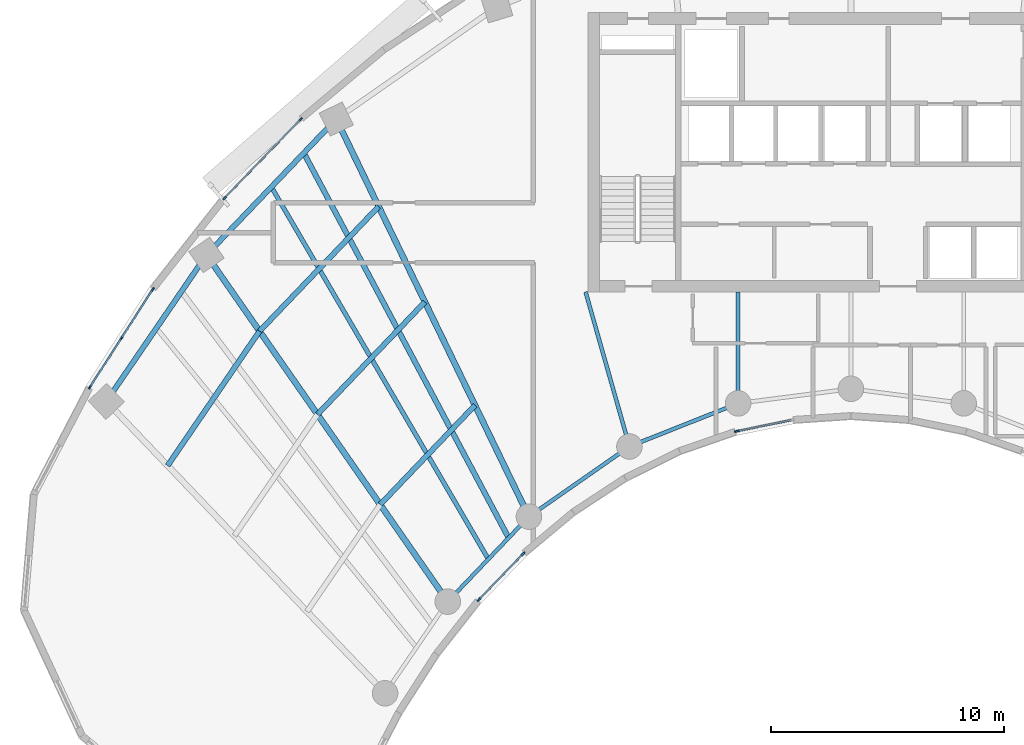
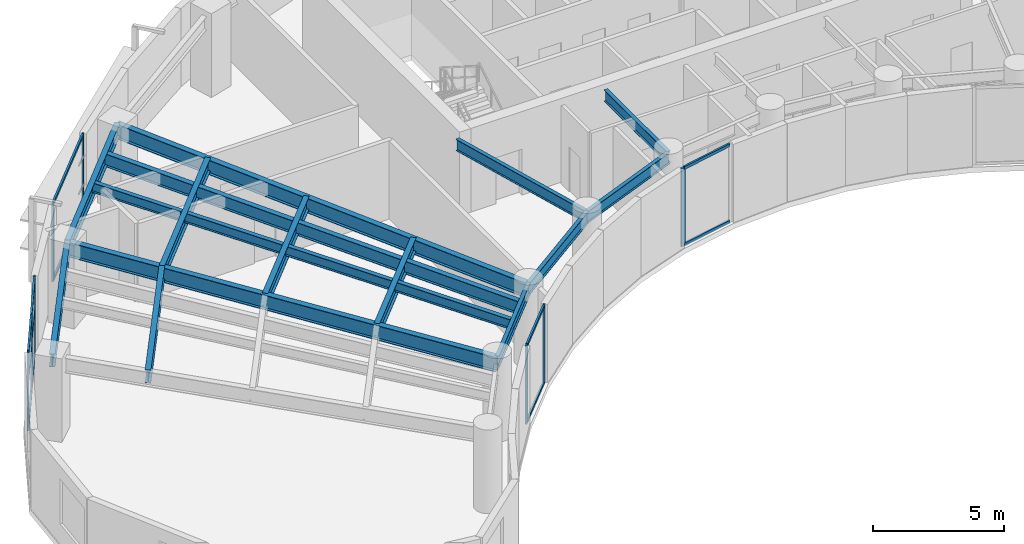
# One storey, part 2 of 13: 20 members, 15 beams, 4 elements without a shape of their own.
"""IFC4 building model written with IfcOpenShell, lengths in metres."""

from ifc_helpers import new_model, si_unit, direction, frame, origin, origin_2d, place, context, subcontext, project, spatial, rectangle, i_section, extrude, source, transform, mapped, material, layer, layer_set, material_profile, profile_set, type_object, type_shapes, element, aggregate, save


model = new_model("IFC4")

# Units and contexts
model_context = context("Model", 3, precision=1e-05, world=origin(), true_north=direction((0.0, 1.0)))
body_context = subcontext(model_context, "Body", "Model", "MODEL_VIEW")
ifc_project = project(units=[si_unit("LENGTHUNIT", "METRE"), si_unit("AREAUNIT", "SQUARE_METRE"), si_unit("VOLUMEUNIT", "CUBIC_METRE"), si_unit("PLANEANGLEUNIT", "RADIAN"), si_unit("MASSUNIT", "GRAM", prefix="KILO")], contexts=[model_context])

# Site, building, storey
site_placement = place(None, origin())
site = spatial("IfcSite", under=ifc_project, at=site_placement, CompositionType="ELEMENT")
building_placement = place(site_placement, origin())
building = spatial("IfcBuilding", under=site, at=building_placement, Name="Breltana Convention Tower", CompositionType="ELEMENT")
storey_placement = place(building_placement, frame((0.0, 0.0, 154.5)))
storey = spatial("IfcBuildingStorey", under=building, at=storey_placement, Name="L37", CompositionType="ELEMENT", Elevation=154.5)

# Beams
ifc_material_1 = material(Name="Steel ASTM A992 Grade 50", Category="steel")
ifc_material_profile_1 = material_profile(ifc_material_1, i_section(OverallWidth=0.25390625, OverallDepth=0.68798828125, WebThickness=0.01318359375, FlangeThickness=0.02099609375, at=origin_2d()), Name="W27X102")
ifc_profile_set_1 = profile_set([ifc_material_profile_1], Name="Steel ASTM A992 Grade 50")
beam_type_1 = type_object("IfcBeamType", Name="BM-RG-W27X102", PredefinedType="USERDEFINED", material=ifc_profile_set_1)
shared_shape_1 = source(origin(), body_context, "Body", "SweptSolid", [
    extrude(i_section(OverallWidth=0.25390625, OverallDepth=0.68798828125, WebThickness=0.01318359375, FlangeThickness=0.02099609375, at=origin_2d()), origin(), (0.0, 0.0, 1.0), 18.1484375),
])
beam_1_placement = place(storey_placement, frame((30.67724609375, 46.892333984375, 3.305908203125), z_axis=(-0.571207556098, 0.820805657788, 0.0), x_axis=(-0.820805657788, -0.571207556098, 0.0)))
element("IfcBeam", 1, at=beam_1_placement, inside=storey, type_object=beam_type_1, Name="L37 Radial Floor Girder R02", ObjectType="GIRDER", PredefinedType="USERDEFINED", context=body_context, shape_type="MappedRepresentation", body=[
    mapped(shared_shape_1, transform((0.0, 0.0, 0.0), scale=1.0)),
])
shared_shape_2 = source(origin(), body_context, "Body", "SweptSolid", [
    extrude(i_section(OverallWidth=0.25390625, OverallDepth=0.68798828125, WebThickness=0.01318359375, FlangeThickness=0.02099609375, at=origin_2d()), origin(), (0.0, 0.0, 1.0), 18.982421875),
])
beam_2_placement = place(storey_placement, frame((34.166259765625, 50.544921875, 3.305908203125), z_axis=(-0.436118560343, 0.89988921614, 0.0), x_axis=(-0.89988921614, -0.436118560343, 0.0)))
element("IfcBeam", 2, at=beam_2_placement, inside=storey, type_object=beam_type_1, Name="L37 Radial Floor Girder R03", ObjectType="GIRDER", PredefinedType="USERDEFINED", context=body_context, shape_type="MappedRepresentation", body=[
    mapped(shared_shape_2, transform((0.0, 0.0, 0.0), scale=1.0)),
])
ifc_material_profile_2 = material_profile(ifc_material_1, i_section(OverallWidth=0.166015625, OverallDepth=0.534912109375, WebThickness=0.01025390625, FlangeThickness=0.0166015625, at=origin_2d()), Name="W21X57")
ifc_profile_set_2 = profile_set([ifc_material_profile_2], Name="Steel ASTM A992 Grade 50")
beam_type_2 = type_object("IfcBeamType", Name="BM-BM-W21X57", PredefinedType="BEAM", material=ifc_profile_set_2)
shared_shape_3 = source(origin(), body_context, "Body", "SweptSolid", [
    extrude(i_section(OverallWidth=0.166015625, OverallDepth=0.534912109375, WebThickness=0.01025390625, FlangeThickness=0.0166015625, at=origin_2d()), origin(), (0.0, 0.0, 1.0), 6.904541015625),
])
type_shapes(beam_type_2, [shared_shape_3])
beam_3_placement = place(storey_placement, frame((36.60009765625, 60.199951171875, 3.382568359375), z_axis=(0.273006781054, -0.962012108811, 0.0), x_axis=(0.962012108811, 0.273006781054, 0.0)))
element("IfcBeam", 3, at=beam_3_placement, inside=storey, type_object=beam_type_2, Name="L37 South Core Tie Girder R04", PredefinedType="BEAM", context=body_context, shape_type="MappedRepresentation", body=[
    mapped(shared_shape_3, transform((0.0, 0.0, 0.0), scale=1.0)),
])
shared_shape_4 = source(origin(), body_context, "Body", "SweptSolid", [
    extrude(i_section(OverallWidth=0.166015625, OverallDepth=0.534912109375, WebThickness=0.01025390625, FlangeThickness=0.0166015625, at=origin_2d()), origin(), (0.0, 0.0, 1.0), 4.789306640625),
])
beam_4_placement = place(storey_placement, frame((43.153564453125, 60.199951171875, 3.382568359375), z_axis=(0.0, -1.0, 0.0), x_axis=(1.0, 0.0, 0.0)))
element("IfcBeam", 4, at=beam_4_placement, inside=storey, type_object=beam_type_2, Name="L37 South Core Tie Girder R05", PredefinedType="BEAM", context=body_context, shape_type="MappedRepresentation", body=[
    mapped(shared_shape_4, transform((0.0, 0.0, 0.0), scale=1.0)),
])
ifc_material_profile_3 = material_profile(ifc_material_1, i_section(OverallWidth=0.22802734375, OverallDepth=0.60791015625, WebThickness=0.01123046875, FlangeThickness=0.017333984375, at=origin_2d()), Name="W24X76")
ifc_profile_set_3 = profile_set([ifc_material_profile_3], Name="Steel ASTM A992 Grade 50")
beam_type_3 = type_object("IfcBeamType", Name="BM-SP-W24X76", PredefinedType="SPANDREL", material=ifc_profile_set_3)
shared_shape_5 = source(origin(), body_context, "Body", "SweptSolid", [
    extrude(i_section(OverallWidth=0.22802734375, OverallDepth=0.60791015625, WebThickness=0.01123046875, FlangeThickness=0.017333984375, at=origin_2d()), origin(), (0.0, 0.0, 1.0), 7.625),
])
type_shapes(beam_type_3, [shared_shape_5])
beam_5_placement = place(storey_placement, frame((16.0068359375, 55.494384765625, 3.345947265625), z_axis=(0.564452031902, 0.825465870694, 0.0), x_axis=(-0.825465870694, 0.564452031902, 0.0)))
element("IfcBeam", 5, at=beam_5_placement, inside=storey, type_object=beam_type_3, Name="L37 Outer Spandrel Beam 01", PredefinedType="SPANDREL", context=body_context, shape_type="MappedRepresentation", body=[
    mapped(shared_shape_5, transform((0.0, 0.0, 0.0), scale=1.0)),
])
shared_shape_6 = source(origin(), body_context, "Body", "SweptSolid", [
    extrude(i_section(OverallWidth=0.166015625, OverallDepth=0.534912109375, WebThickness=0.01025390625, FlangeThickness=0.0166015625, at=origin_2d()), origin(), (0.0, 0.0, 1.0), 5.05126953125),
])
beam_6_placement = place(storey_placement, frame((30.67724609375, 46.892333984375, 3.382568359375), z_axis=(0.690729753845, 0.7231129975, 0.0), x_axis=(-0.7231129975, 0.690729753845, 0.0)))
element("IfcBeam", 6, at=beam_6_placement, inside=storey, type_object=beam_type_2, Name="L37 Inner Ring Beam 02", PredefinedType="BEAM", context=body_context, shape_type="MappedRepresentation", body=[
    mapped(shared_shape_6, transform((0.0, 0.0, 0.0), scale=1.0)),
])
shared_shape_7 = source(origin(), body_context, "Body", "SweptSolid", [
    extrude(i_section(OverallWidth=0.22802734375, OverallDepth=0.60791015625, WebThickness=0.01123046875, FlangeThickness=0.017333984375, at=origin_2d()), origin(), (0.0, 0.0, 1.0), 8.073974609375),
])
beam_7_placement = place(storey_placement, frame((20.310791015625, 61.78857421875, 3.345947265625), z_axis=(0.69072885448, 0.723113856588, 0.0), x_axis=(-0.723113856588, 0.69072885448, 0.0)))
element("IfcBeam", 7, at=beam_7_placement, inside=storey, type_object=beam_type_3, Name="L37 Outer Spandrel Beam 02", PredefinedType="SPANDREL", context=body_context, shape_type="MappedRepresentation", body=[
    mapped(shared_shape_7, transform((0.0, 0.0, 0.0), scale=1.0)),
])
shared_shape_8 = source(origin(), body_context, "Body", "SweptSolid", [
    extrude(i_section(OverallWidth=0.166015625, OverallDepth=0.534912109375, WebThickness=0.01025390625, FlangeThickness=0.0166015625, at=origin_2d()), origin(), (0.0, 0.0, 1.0), 5.265869140625),
])
beam_8_placement = place(storey_placement, frame((34.166259765625, 50.544921875, 3.382568359375), z_axis=(0.820167429517, 0.572123577176, 0.0), x_axis=(-0.572123577176, 0.820167429517, 0.0)))
element("IfcBeam", 8, at=beam_8_placement, inside=storey, type_object=beam_type_2, Name="L37 Inner Ring Beam 03", PredefinedType="BEAM", context=body_context, shape_type="MappedRepresentation", body=[
    mapped(shared_shape_8, transform((0.0, 0.0, 0.0), scale=1.0)),
])
shared_shape_9 = source(origin(), body_context, "Body", "SweptSolid", [
    extrude(i_section(OverallWidth=0.166015625, OverallDepth=0.534912109375, WebThickness=0.01025390625, FlangeThickness=0.0166015625, at=origin_2d()), origin(), (0.0, 0.0, 1.0), 5.022705078125),
])
beam_9_placement = place(storey_placement, frame((38.485107421875, 53.5576171875, 3.382568359375), z_axis=(0.929458966248, 0.368925507469, 0.0), x_axis=(-0.368925507469, 0.929458966248, 0.0)))
element("IfcBeam", 9, at=beam_9_placement, inside=storey, type_object=beam_type_2, Name="L37 Inner Ring Beam 04", PredefinedType="BEAM", context=body_context, shape_type="MappedRepresentation", body=[
    mapped(shared_shape_9, transform((0.0, 0.0, 0.0), scale=1.0)),
])
ifc_material_profile_4 = material_profile(ifc_material_1, i_section(OverallWidth=0.22802734375, OverallDepth=0.60791015625, WebThickness=0.01123046875, FlangeThickness=0.017333984375, at=origin_2d()), Name="W24X76")
ifc_profile_set_4 = profile_set([ifc_material_profile_4], Name="Steel ASTM A992 Grade 50")
beam_type_4 = type_object("IfcBeamType", Name="BM-JSG-02", PredefinedType="JOIST", material=ifc_profile_set_4)
shared_shape_10 = source(origin(), body_context, "Body", "SweptSolid", [
    extrude(i_section(OverallWidth=0.22802734375, OverallDepth=0.60791015625, WebThickness=0.01123046875, FlangeThickness=0.017333984375, at=origin_2d()), origin(), (0.0, 0.0, 1.0), 6.997314453125),
])
beam_10_placement = place(storey_placement, frame((18.641845703125, 52.735595703125, 3.345947265625), z_axis=(0.564468756361, 0.825454434292, 0.0), x_axis=(-0.825454434292, 0.564468756361, 0.0)))
element("IfcBeam", 10, at=beam_10_placement, inside=storey, type_object=beam_type_4, Name="L37 Composite Floor Joist 01.3", PredefinedType="JOIST", context=body_context, shape_type="MappedRepresentation", body=[
    mapped(shared_shape_10, transform((0.0, 0.0, 0.0), scale=1.0)),
])
shared_shape_11 = source(origin(), body_context, "Body", "SweptSolid", [
    extrude(i_section(OverallWidth=0.22802734375, OverallDepth=0.60791015625, WebThickness=0.01123046875, FlangeThickness=0.017333984375, at=origin_2d()), origin(), (0.0, 0.0, 1.0), 5.8974609375),
])
beam_11_placement = place(storey_placement, frame((27.774658203125, 51.063232421875, 3.345947265625), z_axis=(0.690713978666, 0.723128065888, 0.0), x_axis=(-0.723128065888, 0.690713978666, 0.0)))
element("IfcBeam", 11, at=beam_11_placement, inside=storey, type_object=beam_type_4, Name="L37 Composite Floor Joist 02.1", PredefinedType="JOIST", context=body_context, shape_type="MappedRepresentation", body=[
    mapped(shared_shape_11, transform((0.0, 0.0, 0.0), scale=1.0)),
])
shared_shape_12 = source(origin(), body_context, "Body", "SweptSolid", [
    extrude(i_section(OverallWidth=0.22802734375, OverallDepth=0.60791015625, WebThickness=0.01123046875, FlangeThickness=0.017333984375, at=origin_2d()), origin(), (0.0, 0.0, 1.0), 6.68359375),
])
beam_12_placement = place(storey_placement, frame((25.079345703125, 54.936279296875, 3.345947265625), z_axis=(0.690720705885, 0.723121640156, 0.0), x_axis=(-0.723121640156, 0.690720705885, 0.0)))
element("IfcBeam", 12, at=beam_12_placement, inside=storey, type_object=beam_type_4, Name="L37 Composite Floor Joist 02.2", PredefinedType="JOIST", context=body_context, shape_type="MappedRepresentation", body=[
    mapped(shared_shape_12, transform((0.0, 0.0, 0.0), scale=1.0)),
])
shared_shape_13 = source(origin(), body_context, "Body", "SweptSolid", [
    extrude(i_section(OverallWidth=0.22802734375, OverallDepth=0.60791015625, WebThickness=0.01123046875, FlangeThickness=0.017333984375, at=origin_2d()), origin(), (0.0, 0.0, 1.0), 7.40869140625),
])
beam_13_placement = place(storey_placement, frame((22.591552734375, 58.511474609375, 3.345947265625), z_axis=(0.690724936208, 0.723117599358, 0.0), x_axis=(-0.723117599358, 0.690724936208, 0.0)))
element("IfcBeam", 13, at=beam_13_placement, inside=storey, type_object=beam_type_4, Name="L37 Composite Floor Joist 02.3", PredefinedType="JOIST", context=body_context, shape_type="MappedRepresentation", body=[
    mapped(shared_shape_13, transform((0.0, 0.0, 0.0), scale=1.0)),
])
ifc_material_profile_5 = material_profile(ifc_material_1, i_section(OverallWidth=0.19091796875, OverallDepth=0.4599609375, WebThickness=0.010009765625, FlangeThickness=0.01611328125, at=origin_2d()), Name="W18X55")
ifc_profile_set_5 = profile_set([ifc_material_profile_5], Name="Steel ASTM A992 Grade 50")
beam_type_5 = type_object("IfcBeamType", Name="BM-JSG-07", PredefinedType="JOIST", material=ifc_profile_set_5)
shared_shape_14 = source(origin(), body_context, "Body", "SweptSolid", [
    extrude(i_section(OverallWidth=0.19091796875, OverallDepth=0.4599609375, WebThickness=0.010009765625, FlangeThickness=0.01611328125, at=origin_2d()), origin(), (0.0, 0.0, 1.0), 18.50830078125),
])
beam_14_placement = place(storey_placement, frame((32.421630859375, 48.71875, 3.419921875), z_axis=(-0.50368319637, 0.863888440537, 0.0), x_axis=(-0.863888440537, -0.50368319637, 0.0)))
element("IfcBeam", 14, at=beam_14_placement, inside=storey, type_object=beam_type_5, Name="L37 Mid-Bay Radial Trimmer 02", PredefinedType="JOIST", context=body_context, shape_type="MappedRepresentation", body=[
    mapped(shared_shape_14, transform((0.0, 0.0, 0.0), scale=1.0)),
])
shared_shape_15 = source(origin(), body_context, "Body", "SweptSolid", [
    extrude(i_section(OverallWidth=0.22802734375, OverallDepth=0.60791015625, WebThickness=0.01123046875, FlangeThickness=0.017333984375, at=origin_2d()), origin(), (0.0, 0.0, 1.0), 18.731689453125),
])
beam_15_placement = place(storey_placement, frame((33.2939453125, 49.6318359375, 3.345947265625), z_axis=(-0.469820250451, 0.882762104004, 0.0), x_axis=(-0.882762104004, -0.469820250451, 0.0)))
element("IfcBeam", 15, at=beam_15_placement, inside=storey, type_object=beam_type_4, Name="L37 Quarter-Bay Radial Trimmer 02", PredefinedType="JOIST", context=body_context, shape_type="MappedRepresentation", body=[
    mapped(shared_shape_15, transform((0.0, 0.0, 0.0), scale=1.0)),
])

# Curtain wall, member
ifc_material_2 = material(Name="Aluminium Anodised Bronze Frame", Category="aluminium")
ifc_layer_1 = layer(ifc_material_2, 0.18994140625, Name="Aluminium Anodised Bronze Frame")
ifc_layer_set_1 = layer_set([ifc_layer_1], Name="Aluminium Anodised Bronze Frame")
curtain_wall_type_1 = type_object("IfcCurtainWallType", Name="CW-SYS-1", PredefinedType="NOTDEFINED", material=ifc_layer_set_1)
curtain_wall_1_placement = place(storey_placement, origin())
curtain_wall_1 = element("IfcCurtainWall", 16, at=curtain_wall_1_placement, inside=storey, type_object=curtain_wall_type_1, Name="L37 inner south-court glazing 4", PredefinedType="NOTDEFINED")
ifc_material_3 = material(Name="Aluminium Anodised Bronze", Category="aluminium")
ifc_material_profile_6 = material_profile(ifc_material_3, rectangle(XDim=0.080078125, YDim=0.199951171875, at=origin_2d()), Name="CWM-80X200")
ifc_profile_set_6 = profile_set([ifc_material_profile_6], Name="Aluminium Anodised Bronze")
member_type_1 = type_object("IfcMemberType", Name="CWM-200", PredefinedType="MULLION", material=ifc_profile_set_6)
shared_shape_16 = source(origin(), body_context, "Body", "SweptSolid", [
    extrude(rectangle(XDim=0.080078125, YDim=0.199951171875, at=origin_2d()), origin(), (0.0, 0.0, 1.0), 3.64990234375),
])
member_1_placement = place(storey_placement, frame((43.0966796875, 54.212646484375, 0.0), z_axis=(0.0, 0.0, 1.0), x_axis=(0.200861178299, -0.979619715529, 0.0)))
member_1 = element("IfcMember", 17, at=member_1_placement, type_object=member_type_1, Name="CW-01 mullion 2", PredefinedType="MULLION", context=body_context, shape_type="MappedRepresentation", body=[
    mapped(shared_shape_16, transform((0.0, 0.0, 0.0), scale=1.0)),
])

# Curtain wall, members
curtain_wall_2_placement = place(storey_placement, origin())
curtain_wall_2 = element("IfcCurtainWall", 18, at=curtain_wall_2_placement, inside=storey, type_object=curtain_wall_type_1, Name="L37 inner south-court glazing 5", PredefinedType="NOTDEFINED")
member_2_placement = place(storey_placement, frame((33.917236328125, 48.944580078125, 0.0), z_axis=(0.0, 0.0, 1.0), x_axis=(0.719389819694, -0.694606570168, 0.0)))
member_2 = element("IfcMember", 19, at=member_2_placement, type_object=member_type_1, Name="CW-01 mullion 1", PredefinedType="MULLION", context=body_context, shape_type="MappedRepresentation", body=[
    mapped(shared_shape_16, transform((0.0, 0.0, 0.0), scale=1.0)),
])
member_3_placement = place(storey_placement, frame((32.019287109375, 46.978759765625, 0.0), z_axis=(0.0, 0.0, 1.0), x_axis=(0.719389819694, -0.694606570168, 0.0)))
member_3 = element("IfcMember", 20, at=member_3_placement, type_object=member_type_1, Name="CW-01 mullion 2", PredefinedType="MULLION", context=body_context, shape_type="MappedRepresentation", body=[
    mapped(shared_shape_16, transform((0.0, 0.0, 0.0), scale=1.0)),
])

ifc_layer_2 = layer(ifc_material_2, 0.2099609375, Name="Aluminium Anodised Bronze Frame")
ifc_layer_set_2 = layer_set([ifc_layer_2], Name="Aluminium Anodised Bronze Frame")
curtain_wall_type_2 = type_object("IfcCurtainWallType", Name="CW-SYS-3", PredefinedType="NOTDEFINED", material=ifc_layer_set_2)
curtain_wall_3_placement = place(storey_placement, origin())
curtain_wall_3 = element("IfcCurtainWall", 21, at=curtain_wall_3_placement, inside=storey, type_object=curtain_wall_type_2, Name="L37 outer double-skin inner glazing 1", PredefinedType="NOTDEFINED")
ifc_material_profile_7 = material_profile(ifc_material_3, rectangle(XDim=0.070068359375, YDim=0.175048828125, at=origin_2d()), Name="CWM-70X175")
ifc_profile_set_7 = profile_set([ifc_material_profile_7], Name="Aluminium Anodised Bronze")
member_type_2 = type_object("IfcMemberType", Name="CWM-175", PredefinedType="MULLION", material=ifc_profile_set_7)
shared_shape_17 = source(origin(), body_context, "Body", "SweptSolid", [
    extrude(rectangle(XDim=0.070068359375, YDim=0.175048828125, at=origin_2d()), origin(), (0.0, 0.0, 1.0), 3.64990234375),
])
member_4_placement = place(storey_placement, frame((15.304443359375, 56.10498046875, 0.0), z_axis=(0.0, 0.0, 1.0), x_axis=(-0.841554203529, 0.54017267843, 0.0)))
member_4 = element("IfcMember", 22, at=member_4_placement, type_object=member_type_2, Name="CW-03 mullion 1", PredefinedType="MULLION", context=body_context, shape_type="MappedRepresentation", body=[
    mapped(shared_shape_17, transform((0.0, 0.0, 0.0), scale=1.0)),
])
member_5_placement = place(storey_placement, frame((16.6533203125, 58.20654296875, 0.0), z_axis=(0.0, 0.0, 1.0), x_axis=(-0.841554203529, 0.54017267843, 0.0)))
member_5 = element("IfcMember", 23, at=member_5_placement, type_object=member_type_2, Name="CW-03 mullion 2", PredefinedType="MULLION", context=body_context, shape_type="MappedRepresentation", body=[
    mapped(shared_shape_17, transform((0.0, 0.0, 0.0), scale=1.0)),
])
member_6_placement = place(storey_placement, frame((18.00244140625, 60.308349609375, 0.0), z_axis=(0.0, 0.0, 1.0), x_axis=(-0.841554203529, 0.54017267843, 0.0)))
member_6 = element("IfcMember", 24, at=member_6_placement, type_object=member_type_2, Name="CW-03 mullion 3", PredefinedType="MULLION", context=body_context, shape_type="MappedRepresentation", body=[
    mapped(shared_shape_17, transform((0.0, 0.0, 0.0), scale=1.0)),
])

curtain_wall_4_placement = place(storey_placement, origin())
curtain_wall_4 = element("IfcCurtainWall", 25, at=curtain_wall_4_placement, inside=storey, type_object=curtain_wall_type_2, Name="L37 outer double-skin inner glazing 2", PredefinedType="NOTDEFINED")
member_7_placement = place(storey_placement, frame((21.087890625, 64.2314453125, 0.0), z_axis=(0.0, 0.0, 1.0), x_axis=(-0.719393523398, 0.694602734297, 0.0)))
member_7 = element("IfcMember", 26, at=member_7_placement, type_object=member_type_2, Name="CW-03 mullion 1", PredefinedType="MULLION", context=body_context, shape_type="MappedRepresentation", body=[
    mapped(shared_shape_17, transform((0.0, 0.0, 0.0), scale=1.0)),
])
member_8_placement = place(storey_placement, frame((24.356689453125, 67.616943359375, 0.0), z_axis=(0.0, 0.0, 1.0), x_axis=(-0.719393523398, 0.694602734297, 0.0)))
member_8 = element("IfcMember", 27, at=member_8_placement, type_object=member_type_2, Name="CW-03 mullion 2", PredefinedType="MULLION", context=body_context, shape_type="MappedRepresentation", body=[
    mapped(shared_shape_17, transform((0.0, 0.0, 0.0), scale=1.0)),
])

# Member
ifc_material_profile_8 = material_profile(ifc_material_3, rectangle(XDim=0.080078125, YDim=0.139892578125, at=origin_2d()), Name="CWT-80X140")
ifc_profile_set_8 = profile_set([ifc_material_profile_8], Name="Aluminium Anodised Bronze")
member_type_3 = type_object("IfcMemberType", Name="CWT-140", PredefinedType="USERDEFINED", material=ifc_profile_set_8)
shared_shape_18 = source(origin(), body_context, "Body", "SweptSolid", [
    extrude(rectangle(XDim=0.080078125, YDim=0.139892578125, at=origin_2d()), origin(), (0.0, 0.0, 1.0), 2.427490234375),
])
member_9_placement = place(storey_placement, frame((15.3232421875, 56.134521484375, 0.0400390625), z_axis=(0.540203388332, 0.841534490817, 0.0), x_axis=(-0.841534490817, 0.540203388332, 0.0)))
member_9 = element("IfcMember", 28, at=member_9_placement, type_object=member_type_3, Name="CW-03 transom 1.1", ObjectType="TRANSOM", PredefinedType="USERDEFINED", context=body_context, shape_type="MappedRepresentation", body=[
    mapped(shared_shape_18, transform((0.0, 0.0, 0.0), scale=1.0)),
])

member_10_placement = place(storey_placement, frame((15.3232421875, 56.134521484375, 2.37255859375), z_axis=(0.540203388332, 0.841534490817, 0.0), x_axis=(-0.841534490817, 0.540203388332, 0.0)))
member_10 = element("IfcMember", 29, at=member_10_placement, type_object=member_type_3, Name="CW-03 transom 1.2", ObjectType="TRANSOM", PredefinedType="USERDEFINED", context=body_context, shape_type="MappedRepresentation", body=[
    mapped(shared_shape_18, transform((0.0, 0.0, 0.0), scale=1.0)),
])

member_11_placement = place(storey_placement, frame((15.3232421875, 56.134521484375, 3.610107421875), z_axis=(0.540203388332, 0.841534490817, 0.0), x_axis=(-0.841534490817, 0.540203388332, 0.0)))
member_11 = element("IfcMember", 30, at=member_11_placement, type_object=member_type_3, Name="CW-03 transom 1.3", ObjectType="TRANSOM", PredefinedType="USERDEFINED", context=body_context, shape_type="MappedRepresentation", body=[
    mapped(shared_shape_18, transform((0.0, 0.0, 0.0), scale=1.0)),
])

shared_shape_19 = source(origin(), body_context, "Body", "SweptSolid", [
    extrude(rectangle(XDim=0.080078125, YDim=0.139892578125, at=origin_2d()), origin(), (0.0, 0.0, 1.0), 2.42724609375),
])
member_12_placement = place(storey_placement, frame((16.67236328125, 58.236083984375, 0.0400390625), z_axis=(0.540132155308, 0.841580212934, 0.0), x_axis=(-0.841580212934, 0.540132155308, 0.0)))
member_12 = element("IfcMember", 31, at=member_12_placement, type_object=member_type_3, Name="CW-03 transom 2.1", ObjectType="TRANSOM", PredefinedType="USERDEFINED", context=body_context, shape_type="MappedRepresentation", body=[
    mapped(shared_shape_19, transform((0.0, 0.0, 0.0), scale=1.0)),
])

member_13_placement = place(storey_placement, frame((16.67236328125, 58.236083984375, 2.37255859375), z_axis=(0.540132155308, 0.841580212934, 0.0), x_axis=(-0.841580212934, 0.540132155308, 0.0)))
member_13 = element("IfcMember", 32, at=member_13_placement, type_object=member_type_3, Name="CW-03 transom 2.2", ObjectType="TRANSOM", PredefinedType="USERDEFINED", context=body_context, shape_type="MappedRepresentation", body=[
    mapped(shared_shape_19, transform((0.0, 0.0, 0.0), scale=1.0)),
])

member_14_placement = place(storey_placement, frame((16.67236328125, 58.236083984375, 3.610107421875), z_axis=(0.540132155308, 0.841580212934, 0.0), x_axis=(-0.841580212934, 0.540132155308, 0.0)))
member_14 = element("IfcMember", 33, at=member_14_placement, type_object=member_type_3, Name="CW-03 transom 2.3", ObjectType="TRANSOM", PredefinedType="USERDEFINED", context=body_context, shape_type="MappedRepresentation", body=[
    mapped(shared_shape_19, transform((0.0, 0.0, 0.0), scale=1.0)),
])

aggregate(curtain_wall_3, [member_4, member_5, member_6, member_9, member_10, member_11, member_12, member_13, member_14])

shared_shape_20 = source(origin(), body_context, "Body", "SweptSolid", [
    extrude(rectangle(XDim=0.080078125, YDim=0.139892578125, at=origin_2d()), origin(), (0.0, 0.0, 1.0), 4.635986328125),
])
member_15_placement = place(storey_placement, frame((21.1123046875, 64.256591796875, 0.0400390625), z_axis=(0.694569137919, 0.719425960506, 0.0), x_axis=(-0.719425960506, 0.694569137919, 0.0)))
member_15 = element("IfcMember", 34, at=member_15_placement, type_object=member_type_3, Name="CW-03 transom 1.1", ObjectType="TRANSOM", PredefinedType="USERDEFINED", context=body_context, shape_type="MappedRepresentation", body=[
    mapped(shared_shape_20, transform((0.0, 0.0, 0.0), scale=1.0)),
])

member_16_placement = place(storey_placement, frame((21.1123046875, 64.256591796875, 3.610107421875), z_axis=(0.694569137919, 0.719425960506, 0.0), x_axis=(-0.719425960506, 0.694569137919, 0.0)))
member_16 = element("IfcMember", 35, at=member_16_placement, type_object=member_type_3, Name="CW-03 transom 1.2", ObjectType="TRANSOM", PredefinedType="USERDEFINED", context=body_context, shape_type="MappedRepresentation", body=[
    mapped(shared_shape_20, transform((0.0, 0.0, 0.0), scale=1.0)),
])

aggregate(curtain_wall_4, [member_7, member_8, member_15, member_16])

shared_shape_21 = source(origin(), body_context, "Body", "SweptSolid", [
    extrude(rectangle(XDim=0.080078125, YDim=0.139892578125, at=origin_2d()), origin(), (0.0, 0.0, 1.0), 2.331298828125),
])
member_17_placement = place(storey_placement, frame((45.419677734375, 54.688720703125, 0.0400390625), z_axis=(-0.979618555343, -0.200866836556, 0.0), x_axis=(0.200866836556, -0.979618555343, 0.0)))
member_17 = element("IfcMember", 36, at=member_17_placement, type_object=member_type_3, Name="CW-01 transom 1.1", ObjectType="TRANSOM", PredefinedType="USERDEFINED", context=body_context, shape_type="MappedRepresentation", body=[
    mapped(shared_shape_21, transform((0.0, 0.0, 0.0), scale=1.0)),
])

member_18_placement = place(storey_placement, frame((45.419677734375, 54.688720703125, 3.610107421875), z_axis=(-0.979618555343, -0.200866836556, 0.0), x_axis=(0.200866836556, -0.979618555343, 0.0)))
member_18 = element("IfcMember", 37, at=member_18_placement, type_object=member_type_3, Name="CW-01 transom 1.2", ObjectType="TRANSOM", PredefinedType="USERDEFINED", context=body_context, shape_type="MappedRepresentation", body=[
    mapped(shared_shape_21, transform((0.0, 0.0, 0.0), scale=1.0)),
])

aggregate(curtain_wall_1, [member_1, member_17, member_18])

shared_shape_22 = source(origin(), body_context, "Body", "SweptSolid", [
    extrude(rectangle(XDim=0.080078125, YDim=0.139892578125, at=origin_2d()), origin(), (0.0, 0.0, 1.0), 2.652587890625),
])
member_19_placement = place(storey_placement, frame((33.8896484375, 48.915771484375, 0.0400390625), z_axis=(-0.694619151454, -0.719377671626, 0.0), x_axis=(0.719377671626, -0.694619151454, 0.0)))
member_19 = element("IfcMember", 38, at=member_19_placement, type_object=member_type_3, Name="CW-01 transom 1.1", ObjectType="TRANSOM", PredefinedType="USERDEFINED", context=body_context, shape_type="MappedRepresentation", body=[
    mapped(shared_shape_22, transform((0.0, 0.0, 0.0), scale=1.0)),
])

member_20_placement = place(storey_placement, frame((33.8896484375, 48.915771484375, 3.610107421875), z_axis=(-0.694619151454, -0.719377671626, 0.0), x_axis=(0.719377671626, -0.694619151454, 0.0)))
member_20 = element("IfcMember", 39, at=member_20_placement, type_object=member_type_3, Name="CW-01 transom 1.2", ObjectType="TRANSOM", PredefinedType="USERDEFINED", context=body_context, shape_type="MappedRepresentation", body=[
    mapped(shared_shape_22, transform((0.0, 0.0, 0.0), scale=1.0)),
])

aggregate(curtain_wall_2, [member_2, member_3, member_19, member_20])

save(model, "model.ifc")
